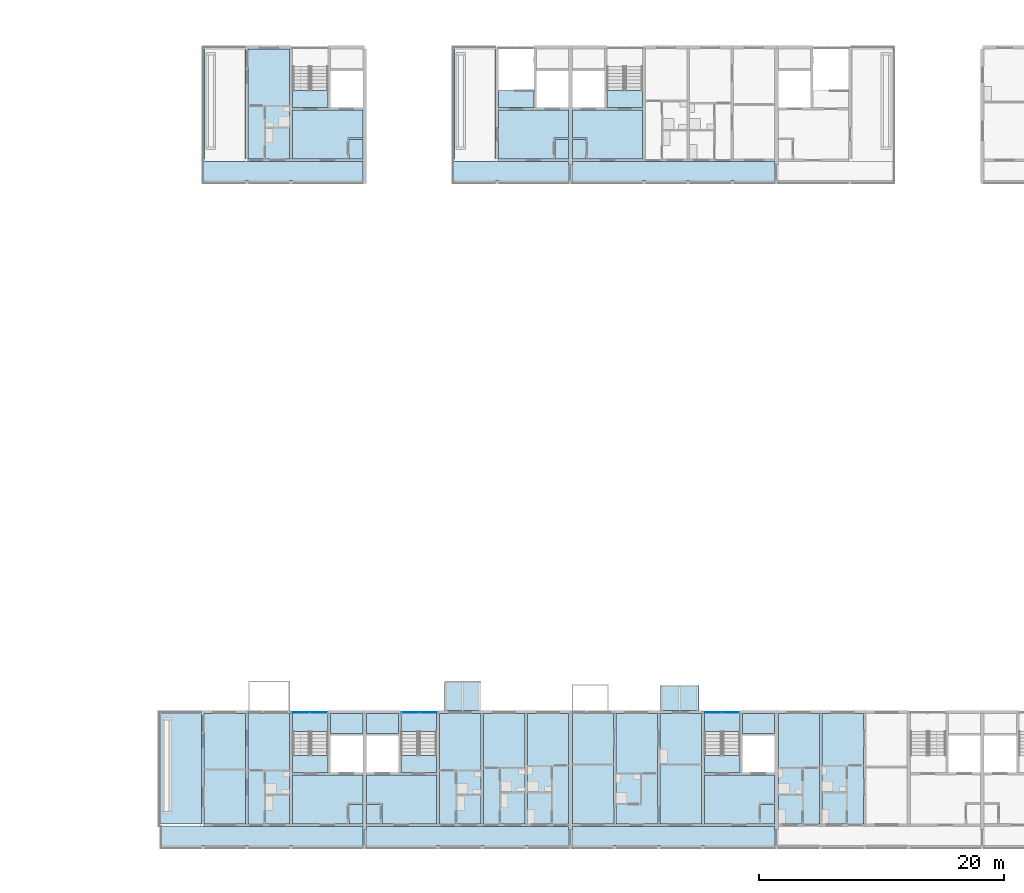
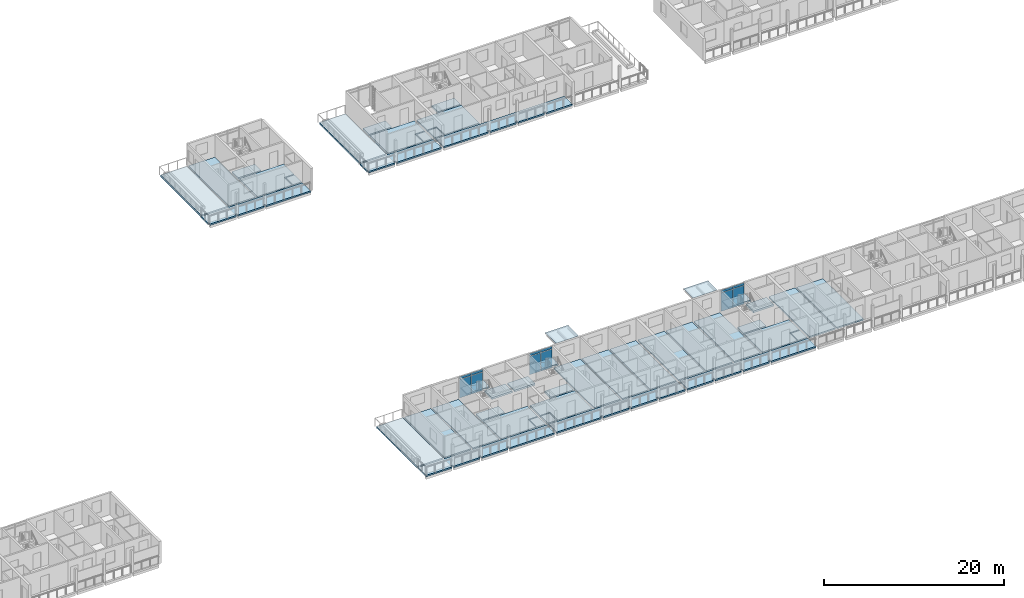
# One storey, part 33 of 87: 46 slabs, 12 plates, 6 elements without a shape of their own.
"""IFC4 building model written with IfcOpenShell, lengths in metres."""

import ifcopenshell
import ifcopenshell.guid

model = None  # the IFC model being written
_history = None  # IfcOwnerHistory: only IFC2X3 demands one
_inside = {}  # id of a spatial element -> (the spatial element, [elements in it])
_under = {}  # id of a project, library or spatial element -> (it, [spatial elements below it])
_declared = {}  # id of a project -> (the project, [libraries it declares])
_typed = {}  # id of a type object -> (the type object, [elements of that type])
_made_of = {}  # id of a material, layer set ... -> (it, [elements and type objects made of it])


def new_model(schema):
    """Start an empty IFC model of exactly this schema.

    Asked for "IFC4X3", IfcOpenShell would pick the latest addendum, in which some entities
    have other attributes; the version numbers below select the first issue.
    IFC2X3 requires an IfcOwnerHistory on every rooted entity: one is made here for all.
    """
    global model, _history
    if schema == "IFC4X3":
        model = ifcopenshell.file(schema_version=(4, 3, 0, 0))
    else:
        model = ifcopenshell.file(schema=schema)
    _inside.clear()
    _under.clear()
    _declared.clear()
    _typed.clear()
    _made_of.clear()
    _history = None
    if model.schema == "IFC2X3":
        org = make("IfcOrganization", Name="unknown")
        user = make(
            "IfcPersonAndOrganization",
            ThePerson=make("IfcPerson", FamilyName="unknown"),
            TheOrganization=org,
        )
        app = make(
            "IfcApplication",
            ApplicationDeveloper=org,
            Version="unknown",
            ApplicationFullName="unknown",
            ApplicationIdentifier="unknown",
        )
        _history = make(
            "IfcOwnerHistory",
            OwningUser=user,
            OwningApplication=app,
            ChangeAction="ADDED",
            CreationDate=0,
        )
    return model


def make(cls, **values):
    """One entity of the class cls with the attributes given. An attribute that is None is left unset."""
    return model.create_entity(
        cls, **{name: value for name, value in values.items() if value is not None}
    )


def rooted(cls, **values):
    """An entity with a GlobalId (a new one), such as an element, a storey or a relation."""
    return make(cls, GlobalId=ifcopenshell.guid.new(), OwnerHistory=_history, **values)


def si_unit(unit_type, name, prefix=None):
    """IfcSIUnit, for example si_unit("LENGTHUNIT", "METRE", prefix="MILLI")."""
    return make("IfcSIUnit", UnitType=unit_type, Prefix=prefix, Name=name)


def assignment(units):
    """IfcUnitAssignment: the units of a project."""
    return None if units is None else make("IfcUnitAssignment", Units=units)


def point(xyz):
    """IfcCartesianPoint."""
    return None if xyz is None else make("IfcCartesianPoint", Coordinates=xyz)


def direction(xyz):
    """IfcDirection."""
    return None if xyz is None else make("IfcDirection", DirectionRatios=xyz)


def frame(location, z_axis=None, x_axis=None):
    """IfcAxis2Placement3D, a coordinate frame: its origin and axes. An axis left out is left unset."""
    return make(
        "IfcAxis2Placement3D",
        Location=point(location),
        Axis=direction(z_axis),
        RefDirection=direction(x_axis),
    )


def frame_2d(location, x_axis=None):
    """IfcAxis2Placement2D, a coordinate frame in the plane: its origin and x axis."""
    return make(
        "IfcAxis2Placement2D", Location=point(location), RefDirection=direction(x_axis)
    )


def origin():
    """The frame at (0, 0, 0) with its axes left unset."""
    return frame((0.0, 0.0, 0.0))


def origin_2d():
    """The frame at (0, 0) in the plane with its x axis left unset."""
    return frame_2d((0.0, 0.0))


def place(relative_to, where):
    """IfcLocalPlacement: puts the frame where relative to a parent placement (None: the world)."""
    return make(
        "IfcLocalPlacement", PlacementRelTo=relative_to, RelativePlacement=where
    )


def context(
    kind, dimensions, precision=None, world=None, true_north=None, identifier=None
):
    """IfcGeometricRepresentationContext, for example the 3D "Model" context."""
    return make(
        "IfcGeometricRepresentationContext",
        ContextIdentifier=identifier,
        ContextType=kind,
        CoordinateSpaceDimension=dimensions,
        Precision=precision,
        WorldCoordinateSystem=world,
        TrueNorth=true_north,
    )


def subcontext(parent, identifier, kind, view, scale=None):
    """IfcGeometricRepresentationSubContext, for example "Body" below "Model"."""
    return make(
        "IfcGeometricRepresentationSubContext",
        ContextIdentifier=identifier,
        ContextType=kind,
        ParentContext=parent,
        TargetScale=scale,
        TargetView=view,
    )


def project(units=None, contexts=None):
    """IfcProject with its units and contexts."""
    return rooted(
        "IfcProject",
        Name="project",
        RepresentationContexts=contexts,
        UnitsInContext=assignment(units),
    )


def spatial(cls, under=None, at=None, **own):
    """A site, building, storey or space (cls), placed at a placement, below another one or the project."""
    s = rooted(cls, ObjectPlacement=at, **own)
    if under is not None:
        _under.setdefault(under.id(), (under, []))[1].append(s)
    return s


def polyline(points):
    """IfcPolyline through the points."""
    return make("IfcPolyline", Points=[point(p) for p in points])


def profile(cls, at=None, kind="AREA", **sizes):
    """A parametric profile (cls). Its sizes go by their IFC names, for example OverallWidth=200.0."""
    return make(cls, ProfileType=kind, Position=at, **sizes)


def rectangle(**sizes):
    """IfcRectangleProfileDef."""
    return profile("IfcRectangleProfileDef", **sizes)


def outline(outer, holes=None, kind="AREA"):
    """IfcArbitraryClosedProfileDef: a profile drawn as a closed curve; with holes, ...WithVoids."""
    if holes is None:
        return make("IfcArbitraryClosedProfileDef", ProfileType=kind, OuterCurve=outer)
    return make(
        "IfcArbitraryProfileDefWithVoids",
        ProfileType=kind,
        OuterCurve=outer,
        InnerCurves=holes,
    )


def extrude(swept, where, along, depth):
    """IfcExtrudedAreaSolid: the profile swept, set in the frame where, extruded along a direction by depth."""
    return make(
        "IfcExtrudedAreaSolid",
        SweptArea=swept,
        Position=where,
        ExtrudedDirection=direction(along),
        Depth=depth,
    )


def shape(context_of_items, identifier, shape_type, items):
    """IfcShapeRepresentation: the items that make up one representation, for example the "Body"."""
    return make(
        "IfcShapeRepresentation",
        ContextOfItems=context_of_items,
        RepresentationIdentifier=identifier,
        RepresentationType=shape_type,
        Items=items,
    )


def material(Name=None, Category=None):
    """IfcMaterial."""
    return make("IfcMaterial", Name=Name, Category=Category)


def layer(
    of_material, thickness, ventilated=None, Name=None, Category=None, Priority=None
):
    """IfcMaterialLayer: one layer of a wall or slab, of a material (None: an air gap)."""
    return make(
        "IfcMaterialLayer",
        Material=of_material,
        LayerThickness=thickness,
        IsVentilated=ventilated,
        Name=Name,
        Category=Category,
        Priority=Priority,
    )


def layer_set(layers, Name=None):
    """IfcMaterialLayerSet."""
    return make("IfcMaterialLayerSet", MaterialLayers=layers, LayerSetName=Name)


def made_of(thing, what):
    """Note that an element or type object is made of a material, layer set ...; save() writes the relation."""
    if what is not None:
        _made_of.setdefault(what.id(), (what, []))[1].append(thing)
    return thing


def type_object(cls, material=None, **own):
    """A type object (cls), such as IfcWallType, which elements share."""
    return made_of(rooted(cls, **own), material)


def element(
    cls,
    number,
    at=None,
    inside=None,
    cuts=None,
    type_object=None,
    material=None,
    context=None,
    identifier="Body",
    shape_type=None,
    held_by="IfcProductDefinitionShape",
    body=None,
    shapes=None,
    **own,
):
    """One element of the class cls, such as IfcWall. Its Tag is "e" and its number.

    at: its placement. inside: the storey or other place that contains it. cuts: it is an
    opening in that element (IfcRelVoidsElement). A single representation is given by context,
    identifier, shape_type and body (its items); several are given by shapes. held_by: the class
    of the entity that holds the representations. save() writes the other relations.
    """
    e = rooted(cls, Tag="e%d" % number, ObjectPlacement=at, **own)
    if body is not None:
        shapes = [shape(context, identifier, shape_type, body)]
    if shapes is not None:
        e.Representation = make(held_by, Representations=shapes)
    if inside is not None:
        _inside.setdefault(inside.id(), (inside, []))[1].append(e)
    if cuts is not None:
        rooted(
            "IfcRelVoidsElement", RelatingBuildingElement=cuts, RelatedOpeningElement=e
        )
    if type_object is not None:
        _typed.setdefault(type_object.id(), (type_object, []))[1].append(e)
    return made_of(e, material)


def aggregate(whole, parts):
    """IfcRelAggregates: a whole, such as a stair, and the parts it consists of."""
    return rooted("IfcRelAggregates", RelatingObject=whole, RelatedObjects=parts)


def save(model, path):
    """Write the relations noted so far, then the file.

    IfcRelAggregates (storeys below a building ...), IfcRelContainedInSpatialStructure (elements
    in a storey), IfcRelDefinesByType, IfcRelAssociatesMaterial and IfcRelDeclares: one each for
    every whole, place, type object, material and project.
    """
    for whole, parts in _under.values():
        aggregate(whole, parts)
    for where, things in _inside.values():
        rooted(
            "IfcRelContainedInSpatialStructure",
            RelatedElements=things,
            RelatingStructure=where,
        )
    for kind, things in _typed.values():
        rooted("IfcRelDefinesByType", RelatedObjects=things, RelatingType=kind)
    for what, things in _made_of.values():
        rooted("IfcRelAssociatesMaterial", RelatedObjects=things, RelatingMaterial=what)
    for by, libraries in _declared.values():
        rooted("IfcRelDeclares", RelatingContext=by, RelatedDefinitions=libraries)
    model.write(path)


model = new_model("IFC4")

# Units and contexts
model_context = context("Model", 3, precision=1e-05, world=origin(), true_north=direction((0.0, 1.0)))
body_context = subcontext(model_context, "Body", "Model", "MODEL_VIEW")
ifc_project = project(units=[si_unit("LENGTHUNIT", "METRE"), si_unit("AREAUNIT", "SQUARE_METRE"), si_unit("VOLUMEUNIT", "CUBIC_METRE"), si_unit("PLANEANGLEUNIT", "RADIAN"), si_unit("MASSUNIT", "GRAM", prefix="KILO")], contexts=[model_context])

# Site, building, storey
site_placement = place(None, origin())
site = spatial("IfcSite", under=ifc_project, at=site_placement, CompositionType="ELEMENT")
building_placement = place(site_placement, origin())
building = spatial("IfcBuilding", under=site, at=building_placement, Name="Ridgestep Commons", CompositionType="ELEMENT")
storey_placement = place(building_placement, frame((0.0, 0.0, 27.0)))
storey = spatial("IfcBuildingStorey", under=building, at=storey_placement, Name="L09", CompositionType="ELEMENT", Elevation=27.0)

# Slabs
ifc_material_1 = material(Name="Precast concrete C40/50", Category="concrete")
ifc_layer_1 = layer(ifc_material_1, 0.199951171875)
ifc_layer_set_1 = layer_set([ifc_layer_1], Name="Gallery slab 200")
slab_type_1 = type_object("IfcSlabType", Name="Gallery slab 200", PredefinedType="FLOOR", material=ifc_layer_set_1)
slab_1_placement = place(storey_placement, frame((0.0, 0.0, -0.199951171875)))
element("IfcSlab", 1, at=slab_1_placement, inside=storey, type_object=slab_type_1, Name="Gallery slab C1 L09", PredefinedType="FLOOR", context=body_context, shape_type="SweptSolid", body=[
    extrude(outline(polyline([(163.449951171875, 66.0), (163.449951171875, 67.800048828125), (150.39990234375, 67.800048828125), (150.39990234375, 66.25), (150.52490234375, 66.25), (150.52490234375, 66.0), (153.875, 66.0), (153.875, 66.25), (154.125, 66.25), (154.125, 66.0), (157.47509765625, 66.0), (157.47509765625, 66.25), (157.72509765625, 66.25), (157.72509765625, 66.0), (163.449951171875, 66.0)])), origin(), (0.0, 0.0, 1.0), 0.199951171875),
])
slab_2_placement = place(storey_placement, frame((0.0, 0.0, -0.199951171875)))
element("IfcSlab", 2, at=slab_2_placement, inside=storey, type_object=slab_type_1, Name="Gallery slab C2 L09", PredefinedType="FLOOR", context=body_context, shape_type="SweptSolid", body=[
    extrude(outline(polyline([(180.25, 67.800048828125), (170.800048828125, 67.800048828125), (170.800048828125, 66.25), (170.925048828125, 66.25), (170.925048828125, 66.0), (174.27490234375, 66.0), (174.27490234375, 66.25), (174.52490234375, 66.25), (174.52490234375, 66.0), (180.25, 66.0), (180.25, 67.800048828125)])), origin(), (0.0, 0.0, 1.0), 0.199951171875),
])
slab_3_placement = place(storey_placement, frame((0.0, 0.0, -0.199951171875)))
element("IfcSlab", 3, at=slab_3_placement, inside=storey, type_object=slab_type_1, Name="Gallery slab C3 L09", PredefinedType="FLOOR", context=body_context, shape_type="SweptSolid", body=[
    extrude(outline(polyline([(197.050048828125, 67.800048828125), (180.550048828125, 67.800048828125), (180.550048828125, 66.0), (186.27490234375, 66.0), (186.27490234375, 66.25), (186.52490234375, 66.25), (186.52490234375, 66.0), (189.875, 66.0), (189.875, 66.25), (190.125, 66.25), (190.125, 66.0), (193.47509765625, 66.0), (193.47509765625, 66.25), (193.72509765625, 66.25), (193.72509765625, 66.0), (197.050048828125, 66.0), (197.050048828125, 67.800048828125)])), origin(), (0.0, 0.0, 1.0), 0.199951171875),
])
slab_4_placement = place(storey_placement, frame((0.0, 0.0, -0.199951171875)))
element("IfcSlab", 4, at=slab_4_placement, inside=storey, type_object=slab_type_1, Name="Gallery slab D1 L09", PredefinedType="FLOOR", context=body_context, shape_type="SweptSolid", body=[
    extrude(outline(polyline([(163.449951171875, 13.550048828125), (146.949951171875, 13.550048828125), (146.949951171875, 11.75), (150.27490234375, 11.75), (150.27490234375, 12.0), (150.52490234375, 12.0), (150.52490234375, 11.75), (153.875, 11.75), (153.875, 12.0), (154.125, 12.0), (154.125, 11.75), (157.47509765625, 11.75), (157.47509765625, 12.0), (157.72509765625, 12.0), (157.72509765625, 11.75), (163.449951171875, 11.75), (163.449951171875, 13.550048828125)])), origin(), (0.0, 0.0, 1.0), 0.199951171875),
])
slab_5_placement = place(storey_placement, frame((0.0, 0.0, -0.199951171875)))
element("IfcSlab", 5, at=slab_5_placement, inside=storey, type_object=slab_type_1, Name="Gallery slab D2 L09", PredefinedType="FLOOR", context=body_context, shape_type="SweptSolid", body=[
    extrude(outline(polyline([(180.25, 13.550048828125), (163.75, 13.550048828125), (163.75, 11.75), (169.47509765625, 11.75), (169.47509765625, 12.0), (169.72509765625, 12.0), (169.72509765625, 11.75), (173.074951171875, 11.75), (173.074951171875, 12.0), (173.324951171875, 12.0), (173.324951171875, 11.75), (176.675048828125, 11.75), (176.675048828125, 12.0), (176.925048828125, 12.0), (176.925048828125, 11.75), (180.25, 11.75), (180.25, 13.550048828125)])), origin(), (0.0, 0.0, 1.0), 0.199951171875),
])
slab_6_placement = place(storey_placement, frame((0.0, 0.0, -0.199951171875)))
element("IfcSlab", 6, at=slab_6_placement, inside=storey, type_object=slab_type_1, Name="Gallery slab D3 L09", PredefinedType="FLOOR", context=body_context, shape_type="SweptSolid", body=[
    extrude(outline(polyline([(197.050048828125, 13.550048828125), (180.550048828125, 13.550048828125), (180.550048828125, 11.75), (183.875, 11.75), (183.875, 12.0), (184.125, 12.0), (184.125, 11.75), (187.47509765625, 11.75), (187.47509765625, 12.0), (187.72509765625, 12.0), (187.72509765625, 11.75), (191.074951171875, 11.75), (191.074951171875, 12.0), (191.324951171875, 12.0), (191.324951171875, 11.75), (197.050048828125, 11.75), (197.050048828125, 13.550048828125)])), origin(), (0.0, 0.0, 1.0), 0.199951171875),
])

# Curtain wall, plates
ifc_material_2 = material(Name="Aluminium 6063-T6 and glass", Category="aluminium")
curtain_wall_type = type_object("IfcCurtainWallType", Name="Curtain wall stair strip", PredefinedType="NOTDEFINED", material=ifc_material_2)
curtain_wall_1_placement = place(storey_placement, origin())
curtain_wall_1 = element("IfcCurtainWall", 7, at=curtain_wall_1_placement, inside=storey, type_object=curtain_wall_type, Name="Curtain wall D1C level 09", PredefinedType="NOTDEFINED")
ifc_material_3 = material(Name="Glass laminated 6/16/6 low-emissivity", Category="glass")
ifc_layer_2 = layer(ifc_material_3, 0.028076171875)
ifc_layer_set_2 = layer_set([ifc_layer_2], Name="Glazing panel 28")
plate_type_1 = type_object("IfcPlateType", Name="Glazing panel 28", PredefinedType="CURTAIN_PANEL", material=ifc_layer_set_2)
plate_1_placement = place(storey_placement, frame((158.371337890625, 22.830078125, 0.06005859375), z_axis=(0.0, 0.0, 1.0), x_axis=(1.0, 0.0, 0.0)))
plate_1 = element("IfcPlate", 8, at=plate_1_placement, type_object=plate_type_1, Name="CW1 panel 1.1", PredefinedType="CURTAIN_PANEL", context=body_context, shape_type="SweptSolid", body=[
    extrude(rectangle(XDim=1.422607421875, YDim=0.028076171875, at=origin_2d()), origin(), (0.0, 0.0, 1.0), 2.5),
])
plate_2_placement = place(storey_placement, frame((159.853759765625, 22.830078125, 0.06005859375), z_axis=(0.0, 0.0, 1.0), x_axis=(1.0, 0.0, 0.0)))
plate_2 = element("IfcPlate", 9, at=plate_2_placement, type_object=plate_type_1, Name="CW1 panel 2.1", PredefinedType="CURTAIN_PANEL", context=body_context, shape_type="SweptSolid", body=[
    extrude(rectangle(XDim=1.422607421875, YDim=0.028076171875, at=origin_2d()), origin(), (0.0, 0.0, 1.0), 2.5),
])

curtain_wall_2_placement = place(storey_placement, origin())
curtain_wall_2 = element("IfcCurtainWall", 10, at=curtain_wall_2_placement, inside=storey, type_object=curtain_wall_type, Name="Curtain wall D2C level 09", PredefinedType="NOTDEFINED")
plate_3_placement = place(storey_placement, frame((167.34619140625, 22.830078125, 0.06005859375), z_axis=(0.0, 0.0, 1.0), x_axis=(1.0, 0.0, 0.0)))
plate_3 = element("IfcPlate", 11, at=plate_3_placement, type_object=plate_type_1, Name="CW1 panel 1.1", PredefinedType="CURTAIN_PANEL", context=body_context, shape_type="SweptSolid", body=[
    extrude(rectangle(XDim=1.422607421875, YDim=0.028076171875, at=origin_2d()), origin(), (0.0, 0.0, 1.0), 2.5),
])
plate_4_placement = place(storey_placement, frame((168.828857421875, 22.830078125, 0.06005859375), z_axis=(0.0, 0.0, 1.0), x_axis=(1.0, 0.0, 0.0)))
plate_4 = element("IfcPlate", 12, at=plate_4_placement, type_object=plate_type_1, Name="CW1 panel 2.1", PredefinedType="CURTAIN_PANEL", context=body_context, shape_type="SweptSolid", body=[
    extrude(rectangle(XDim=1.422607421875, YDim=0.028076171875, at=origin_2d()), origin(), (0.0, 0.0, 1.0), 2.5),
])

curtain_wall_3_placement = place(storey_placement, origin())
curtain_wall_3 = element("IfcCurtainWall", 13, at=curtain_wall_3_placement, inside=storey, type_object=curtain_wall_type, Name="Curtain wall D3C level 09", PredefinedType="NOTDEFINED")
plate_5_placement = place(storey_placement, frame((191.97119140625, 22.830078125, 0.06005859375), z_axis=(0.0, 0.0, 1.0), x_axis=(1.0, 0.0, 0.0)))
plate_5 = element("IfcPlate", 14, at=plate_5_placement, type_object=plate_type_1, Name="CW1 panel 1.1", PredefinedType="CURTAIN_PANEL", context=body_context, shape_type="SweptSolid", body=[
    extrude(rectangle(XDim=1.422607421875, YDim=0.028076171875, at=origin_2d()), origin(), (0.0, 0.0, 1.0), 2.5),
])
plate_6_placement = place(storey_placement, frame((193.453857421875, 22.830078125, 0.06005859375), z_axis=(0.0, 0.0, 1.0), x_axis=(1.0, 0.0, 0.0)))
plate_6 = element("IfcPlate", 15, at=plate_6_placement, type_object=plate_type_1, Name="CW1 panel 2.1", PredefinedType="CURTAIN_PANEL", context=body_context, shape_type="SweptSolid", body=[
    extrude(rectangle(XDim=1.422607421875, YDim=0.028076171875, at=origin_2d()), origin(), (0.0, 0.0, 1.0), 2.5),
])

# Slabs
ifc_material_4 = material(Name="Precast concrete C50/60", Category="concrete")
ifc_layer_3 = layer(ifc_material_4, 0.199951171875)
ifc_layer_set_3 = layer_set([ifc_layer_3], Name="Hollow-core plank 200")
slab_type_2 = type_object("IfcSlabType", Name="Hollow-core plank 200", PredefinedType="FLOOR", material=ifc_layer_set_3)
slab_7_placement = place(storey_placement, frame((0.0, 0.0, -0.199951171875)))
element("IfcSlab", 16, at=slab_7_placement, inside=storey, type_object=slab_type_2, Name="Floor plank C1T3 L09", PredefinedType="FLOOR", context=body_context, shape_type="SweptSolid", body=[
    extrude(outline(polyline([(157.47509765625, 68.0), (157.47509765625, 77.0), (154.10009765625, 77.0), (154.10009765625, 68.0), (157.47509765625, 68.0)])), origin(), (0.0, 0.0, 1.0), 0.199951171875),
])
slab_8_placement = place(storey_placement, frame((0.0, 0.0, -0.199951171875)))
element("IfcSlab", 17, at=slab_8_placement, inside=storey, type_object=slab_type_2, Name="Floor plank D1T2 L09", PredefinedType="FLOOR", context=body_context, shape_type="SweptSolid", body=[
    extrude(outline(polyline([(153.89990234375, 13.75), (153.89990234375, 22.75), (150.5, 22.75), (150.5, 13.75), (153.89990234375, 13.75)])), origin(), (0.0, 0.0, 1.0), 0.199951171875),
])
slab_9_placement = place(storey_placement, frame((0.0, 0.0, -0.199951171875)))
element("IfcSlab", 18, at=slab_9_placement, inside=storey, type_object=slab_type_2, Name="Floor plank D1T3 L09", PredefinedType="FLOOR", context=body_context, shape_type="SweptSolid", body=[
    extrude(outline(polyline([(157.47509765625, 13.75), (157.47509765625, 22.75), (154.10009765625, 22.75), (154.10009765625, 13.75), (157.47509765625, 13.75)])), origin(), (0.0, 0.0, 1.0), 0.199951171875),
])
slab_10_placement = place(storey_placement, frame((0.0, 0.0, -0.199951171875)))
element("IfcSlab", 19, at=slab_10_placement, inside=storey, type_object=slab_type_2, Name="Floor plank D2T3 L09", PredefinedType="FLOOR", context=body_context, shape_type="SweptSolid", body=[
    extrude(outline(polyline([(173.10009765625, 13.75), (173.10009765625, 22.75), (169.72509765625, 22.75), (169.72509765625, 13.75), (173.10009765625, 13.75)])), origin(), (0.0, 0.0, 1.0), 0.199951171875),
])
slab_11_placement = place(storey_placement, frame((0.0, 0.0, -0.199951171875)))
element("IfcSlab", 20, at=slab_11_placement, inside=storey, type_object=slab_type_2, Name="Floor plank D2T2 L09", PredefinedType="FLOOR", context=body_context, shape_type="SweptSolid", body=[
    extrude(outline(polyline([(176.699951171875, 13.75), (176.699951171875, 22.75), (173.300048828125, 22.75), (173.300048828125, 13.75), (176.699951171875, 13.75)])), origin(), (0.0, 0.0, 1.0), 0.199951171875),
])
slab_12_placement = place(storey_placement, frame((0.0, 0.0, -0.199951171875)))
element("IfcSlab", 21, at=slab_12_placement, inside=storey, type_object=slab_type_2, Name="Floor plank D2T1 L09", PredefinedType="FLOOR", context=body_context, shape_type="SweptSolid", body=[
    extrude(outline(polyline([(180.25, 13.75), (180.25, 22.75), (176.89990234375, 22.75), (176.89990234375, 13.75), (180.25, 13.75)])), origin(), (0.0, 0.0, 1.0), 0.199951171875),
])
slab_13_placement = place(storey_placement, frame((0.0, 0.0, -0.199951171875)))
element("IfcSlab", 22, at=slab_13_placement, inside=storey, type_object=slab_type_2, Name="Floor plank D3T1 L09", PredefinedType="FLOOR", context=body_context, shape_type="SweptSolid", body=[
    extrude(outline(polyline([(183.89990234375, 13.75), (183.89990234375, 22.75), (180.550048828125, 22.75), (180.550048828125, 13.75), (183.89990234375, 13.75)])), origin(), (0.0, 0.0, 1.0), 0.199951171875),
])
slab_14_placement = place(storey_placement, frame((0.0, 0.0, -0.199951171875)))
element("IfcSlab", 23, at=slab_14_placement, inside=storey, type_object=slab_type_2, Name="Floor plank D3T2 L09", PredefinedType="FLOOR", context=body_context, shape_type="SweptSolid", body=[
    extrude(outline(polyline([(187.5, 13.75), (187.5, 22.75), (184.10009765625, 22.75), (184.10009765625, 13.75), (187.5, 13.75)])), origin(), (0.0, 0.0, 1.0), 0.199951171875),
])
slab_15_placement = place(storey_placement, frame((0.0, 0.0, -0.199951171875)))
element("IfcSlab", 24, at=slab_15_placement, inside=storey, type_object=slab_type_2, Name="Floor plank D3T3 L09", PredefinedType="FLOOR", context=body_context, shape_type="SweptSolid", body=[
    extrude(outline(polyline([(191.074951171875, 13.75), (191.074951171875, 22.75), (187.699951171875, 22.75), (187.699951171875, 13.75), (191.074951171875, 13.75)])), origin(), (0.0, 0.0, 1.0), 0.199951171875),
])
slab_16_placement = place(storey_placement, frame((0.0, 0.0, -0.199951171875)))
element("IfcSlab", 25, at=slab_16_placement, inside=storey, type_object=slab_type_2, Name="Floor plank D4T1 L09", PredefinedType="FLOOR", context=body_context, shape_type="SweptSolid", body=[
    extrude(outline(polyline([(200.699951171875, 13.75), (200.699951171875, 22.75), (197.35009765625, 22.75), (197.35009765625, 13.75), (200.699951171875, 13.75)])), origin(), (0.0, 0.0, 1.0), 0.199951171875),
])
slab_17_placement = place(storey_placement, frame((0.0, 0.0, -0.199951171875)))
element("IfcSlab", 26, at=slab_17_placement, inside=storey, type_object=slab_type_2, Name="Floor plank D4T2 L09", PredefinedType="FLOOR", context=body_context, shape_type="SweptSolid", body=[
    extrude(outline(polyline([(204.300048828125, 13.75), (204.300048828125, 22.75), (200.89990234375, 22.75), (200.89990234375, 13.75), (204.300048828125, 13.75)])), origin(), (0.0, 0.0, 1.0), 0.199951171875),
])
ifc_material_5 = material(Name="Precast concrete C50/60", Category="concrete")
ifc_layer_4 = layer(ifc_material_5, 0.25)
ifc_layer_set_4 = layer_set([ifc_layer_4], Name="Hollow-core plank 250")
slab_type_3 = type_object("IfcSlabType", Name="Hollow-core plank 250", PredefinedType="FLOOR", material=ifc_layer_set_4)
slab_18_placement = place(storey_placement, frame((0.0, 0.0, -0.25)))
element("IfcSlab", 27, at=slab_18_placement, inside=storey, type_object=slab_type_3, Name="Floor plank C1C L09", PredefinedType="FLOOR", context=body_context, shape_type="SweptSolid", body=[
    extrude(outline(polyline([(162.320068359375, 69.719970703125), (163.449951171875, 69.719970703125), (163.449951171875, 72.0), (157.72509765625, 72.0), (157.72509765625, 68.0), (162.199951171875, 68.0), (162.199951171875, 69.719970703125), (162.320068359375, 69.719970703125)])), origin(), (0.0, 0.0, 1.0), 0.25),
])
slab_19_placement = place(storey_placement, frame((0.0, 0.0, -0.25)))
element("IfcSlab", 28, at=slab_19_placement, inside=storey, type_object=slab_type_3, Name="Floor plank C1C L09", PredefinedType="FLOOR", context=body_context, shape_type="SweptSolid", body=[
    extrude(outline(polyline([(160.625, 72.199951171875), (160.625, 73.60009765625), (157.72509765625, 73.60009765625), (157.72509765625, 72.199951171875), (160.625, 72.199951171875)])), origin(), (0.0, 0.0, 1.0), 0.25),
])
slab_20_placement = place(storey_placement, frame((0.0, 0.0, -0.25)))
element("IfcSlab", 29, at=slab_20_placement, inside=storey, type_object=slab_type_3, Name="Floor plank C1C L09", PredefinedType="FLOOR", context=body_context, shape_type="SweptSolid", body=[
    extrude(outline(polyline([(162.320068359375, 68.0), (163.449951171875, 68.0), (163.449951171875, 69.60009765625), (162.320068359375, 69.60009765625), (162.320068359375, 68.0)])), origin(), (0.0, 0.0, 1.0), 0.25),
])
slab_21_placement = place(storey_placement, frame((0.0, 0.0, -0.25)))
element("IfcSlab", 30, at=slab_21_placement, inside=storey, type_object=slab_type_3, Name="Floor plank C2C L09", PredefinedType="FLOOR", context=body_context, shape_type="SweptSolid", body=[
    extrude(outline(polyline([(179.1201171875, 69.719970703125), (180.25, 69.719970703125), (180.25, 72.0), (174.52490234375, 72.0), (174.52490234375, 68.0), (179.0, 68.0), (179.0, 69.719970703125), (179.1201171875, 69.719970703125)])), origin(), (0.0, 0.0, 1.0), 0.25),
])
slab_22_placement = place(storey_placement, frame((0.0, 0.0, -0.25)))
element("IfcSlab", 31, at=slab_22_placement, inside=storey, type_object=slab_type_3, Name="Floor plank C2C L09", PredefinedType="FLOOR", context=body_context, shape_type="SweptSolid", body=[
    extrude(outline(polyline([(177.425048828125, 72.199951171875), (177.425048828125, 73.60009765625), (174.52490234375, 73.60009765625), (174.52490234375, 72.199951171875), (177.425048828125, 72.199951171875)])), origin(), (0.0, 0.0, 1.0), 0.25),
])
slab_23_placement = place(storey_placement, frame((0.0, 0.0, -0.25)))
element("IfcSlab", 32, at=slab_23_placement, inside=storey, type_object=slab_type_3, Name="Floor plank C2C L09", PredefinedType="FLOOR", context=body_context, shape_type="SweptSolid", body=[
    extrude(outline(polyline([(179.1201171875, 68.0), (180.25, 68.0), (180.25, 69.60009765625), (179.1201171875, 69.60009765625), (179.1201171875, 68.0)])), origin(), (0.0, 0.0, 1.0), 0.25),
])
slab_24_placement = place(storey_placement, frame((0.0, 0.0, -0.25)))
element("IfcSlab", 33, at=slab_24_placement, inside=storey, type_object=slab_type_3, Name="Floor plank C3C L09", PredefinedType="FLOOR", context=body_context, shape_type="SweptSolid", body=[
    extrude(outline(polyline([(181.800048828125, 68.0), (186.27490234375, 68.0), (186.27490234375, 72.0), (180.550048828125, 72.0), (180.550048828125, 69.719970703125), (181.679931640625, 69.719970703125), (181.800048828125, 69.719970703125), (181.800048828125, 68.0)])), origin(), (0.0, 0.0, 1.0), 0.25),
])
slab_25_placement = place(storey_placement, frame((0.0, 0.0, -0.25)))
element("IfcSlab", 34, at=slab_25_placement, inside=storey, type_object=slab_type_3, Name="Floor plank C3C L09", PredefinedType="FLOOR", context=body_context, shape_type="SweptSolid", body=[
    extrude(outline(polyline([(186.27490234375, 72.199951171875), (186.27490234375, 73.60009765625), (183.375, 73.60009765625), (183.375, 72.199951171875), (186.27490234375, 72.199951171875)])), origin(), (0.0, 0.0, 1.0), 0.25),
])
slab_26_placement = place(storey_placement, frame((0.0, 0.0, -0.25)))
element("IfcSlab", 35, at=slab_26_placement, inside=storey, type_object=slab_type_3, Name="Floor plank C3C L09", PredefinedType="FLOOR", context=body_context, shape_type="SweptSolid", body=[
    extrude(outline(polyline([(181.679931640625, 69.60009765625), (180.550048828125, 69.60009765625), (180.550048828125, 68.0), (181.679931640625, 68.0), (181.679931640625, 69.60009765625)])), origin(), (0.0, 0.0, 1.0), 0.25),
])
slab_27_placement = place(storey_placement, frame((0.0, 0.0, -0.25)))
element("IfcSlab", 36, at=slab_27_placement, inside=storey, type_object=slab_type_3, Name="Floor plank D1C L09", PredefinedType="FLOOR", context=body_context, shape_type="SweptSolid", body=[
    extrude(outline(polyline([(162.320068359375, 15.469970703125), (163.449951171875, 15.469970703125), (163.449951171875, 17.75), (157.72509765625, 17.75), (157.72509765625, 13.75), (162.199951171875, 13.75), (162.199951171875, 15.469970703125), (162.320068359375, 15.469970703125)])), origin(), (0.0, 0.0, 1.0), 0.25),
])
slab_28_placement = place(storey_placement, frame((0.0, 0.0, -0.25)))
element("IfcSlab", 37, at=slab_28_placement, inside=storey, type_object=slab_type_3, Name="Floor plank D1C L09", PredefinedType="FLOOR", context=body_context, shape_type="SweptSolid", body=[
    extrude(outline(polyline([(163.449951171875, 21.14990234375), (163.449951171875, 22.75), (160.824951171875, 22.75), (160.824951171875, 21.14990234375), (163.449951171875, 21.14990234375)])), origin(), (0.0, 0.0, 1.0), 0.25),
])
slab_29_placement = place(storey_placement, frame((0.0, 0.0, -0.25)))
element("IfcSlab", 38, at=slab_29_placement, inside=storey, type_object=slab_type_3, Name="Floor plank D1C L09", PredefinedType="FLOOR", context=body_context, shape_type="SweptSolid", body=[
    extrude(outline(polyline([(160.625, 17.949951171875), (160.625, 19.35009765625), (157.72509765625, 19.35009765625), (157.72509765625, 17.949951171875), (160.625, 17.949951171875)])), origin(), (0.0, 0.0, 1.0), 0.25),
])
slab_30_placement = place(storey_placement, frame((0.0, 0.0, -0.25)))
element("IfcSlab", 39, at=slab_30_placement, inside=storey, type_object=slab_type_3, Name="Floor plank D1C L09", PredefinedType="FLOOR", context=body_context, shape_type="SweptSolid", body=[
    extrude(outline(polyline([(162.320068359375, 13.75), (163.449951171875, 13.75), (163.449951171875, 15.35009765625), (162.320068359375, 15.35009765625), (162.320068359375, 13.75)])), origin(), (0.0, 0.0, 1.0), 0.25),
])
slab_31_placement = place(storey_placement, frame((0.0, 0.0, -0.25)))
element("IfcSlab", 40, at=slab_31_placement, inside=storey, type_object=slab_type_3, Name="Floor plank D2C L09", PredefinedType="FLOOR", context=body_context, shape_type="SweptSolid", body=[
    extrude(outline(polyline([(165.0, 13.75), (169.47509765625, 13.75), (169.47509765625, 17.75), (163.75, 17.75), (163.75, 15.469970703125), (164.8798828125, 15.469970703125), (165.0, 15.469970703125), (165.0, 13.75)])), origin(), (0.0, 0.0, 1.0), 0.25),
])
slab_32_placement = place(storey_placement, frame((0.0, 0.0, -0.25)))
element("IfcSlab", 41, at=slab_32_placement, inside=storey, type_object=slab_type_3, Name="Floor plank D2C L09", PredefinedType="FLOOR", context=body_context, shape_type="SweptSolid", body=[
    extrude(outline(polyline([(166.375, 22.75), (163.75, 22.75), (163.75, 21.14990234375), (166.375, 21.14990234375), (166.375, 22.75)])), origin(), (0.0, 0.0, 1.0), 0.25),
])
slab_33_placement = place(storey_placement, frame((0.0, 0.0, -0.25)))
element("IfcSlab", 42, at=slab_33_placement, inside=storey, type_object=slab_type_3, Name="Floor plank D2C L09", PredefinedType="FLOOR", context=body_context, shape_type="SweptSolid", body=[
    extrude(outline(polyline([(169.47509765625, 17.949951171875), (169.47509765625, 19.35009765625), (166.574951171875, 19.35009765625), (166.574951171875, 17.949951171875), (169.47509765625, 17.949951171875)])), origin(), (0.0, 0.0, 1.0), 0.25),
])
slab_34_placement = place(storey_placement, frame((0.0, 0.0, -0.25)))
element("IfcSlab", 43, at=slab_34_placement, inside=storey, type_object=slab_type_3, Name="Floor plank D2C L09", PredefinedType="FLOOR", context=body_context, shape_type="SweptSolid", body=[
    extrude(outline(polyline([(164.8798828125, 15.35009765625), (163.75, 15.35009765625), (163.75, 13.75), (164.8798828125, 13.75), (164.8798828125, 15.35009765625)])), origin(), (0.0, 0.0, 1.0), 0.25),
])
slab_35_placement = place(storey_placement, frame((0.0, 0.0, -0.25)))
element("IfcSlab", 44, at=slab_35_placement, inside=storey, type_object=slab_type_3, Name="Floor plank D3C L09", PredefinedType="FLOOR", context=body_context, shape_type="SweptSolid", body=[
    extrude(outline(polyline([(195.919921875, 15.469970703125), (197.050048828125, 15.469970703125), (197.050048828125, 17.75), (191.324951171875, 17.75), (191.324951171875, 13.75), (195.800048828125, 13.75), (195.800048828125, 15.469970703125), (195.919921875, 15.469970703125)])), origin(), (0.0, 0.0, 1.0), 0.25),
])
slab_36_placement = place(storey_placement, frame((0.0, 0.0, -0.25)))
element("IfcSlab", 45, at=slab_36_placement, inside=storey, type_object=slab_type_3, Name="Floor plank D3C L09", PredefinedType="FLOOR", context=body_context, shape_type="SweptSolid", body=[
    extrude(outline(polyline([(197.050048828125, 21.14990234375), (197.050048828125, 22.75), (194.425048828125, 22.75), (194.425048828125, 21.14990234375), (197.050048828125, 21.14990234375)])), origin(), (0.0, 0.0, 1.0), 0.25),
])
slab_37_placement = place(storey_placement, frame((0.0, 0.0, -0.25)))
element("IfcSlab", 46, at=slab_37_placement, inside=storey, type_object=slab_type_3, Name="Floor plank D3C L09", PredefinedType="FLOOR", context=body_context, shape_type="SweptSolid", body=[
    extrude(outline(polyline([(194.22509765625, 17.949951171875), (194.22509765625, 19.35009765625), (191.324951171875, 19.35009765625), (191.324951171875, 17.949951171875), (194.22509765625, 17.949951171875)])), origin(), (0.0, 0.0, 1.0), 0.25),
])
slab_38_placement = place(storey_placement, frame((0.0, 0.0, -0.25)))
element("IfcSlab", 47, at=slab_38_placement, inside=storey, type_object=slab_type_3, Name="Floor plank D3C L09", PredefinedType="FLOOR", context=body_context, shape_type="SweptSolid", body=[
    extrude(outline(polyline([(195.919921875, 13.75), (197.050048828125, 13.75), (197.050048828125, 15.35009765625), (195.919921875, 15.35009765625), (195.919921875, 13.75)])), origin(), (0.0, 0.0, 1.0), 0.25),
])
ifc_material_6 = material(Name="Precast concrete C50/60", Category="concrete")
ifc_layer_5 = layer(ifc_material_6, 0.25)
ifc_layer_set_5 = layer_set([ifc_layer_5], Name="Roof slab 250")
slab_type_4 = type_object("IfcSlabType", Name="Roof slab 250", PredefinedType="ROOF", material=ifc_layer_set_5)
slab_39_placement = place(storey_placement, frame((0.0, 0.0, -0.25)))
element("IfcSlab", 48, at=slab_39_placement, inside=storey, type_object=slab_type_4, Name="Terrace slab C1T2", PredefinedType="ROOF", context=body_context, shape_type="SweptSolid", body=[
    extrude(outline(polyline([(153.89990234375, 68.0), (153.89990234375, 77.0), (150.5, 77.0), (150.5, 68.0), (153.89990234375, 68.0)])), origin(), (0.0, 0.0, 1.0), 0.25),
])
slab_40_placement = place(storey_placement, frame((0.0, 0.0, -0.25)))
element("IfcSlab", 49, at=slab_40_placement, inside=storey, type_object=slab_type_4, Name="Terrace slab C2T3", PredefinedType="ROOF", context=body_context, shape_type="SweptSolid", body=[
    extrude(outline(polyline([(174.27490234375, 68.0), (174.27490234375, 77.0), (170.89990234375, 77.0), (170.89990234375, 68.0), (174.27490234375, 68.0)])), origin(), (0.0, 0.0, 1.0), 0.25),
])
slab_41_placement = place(storey_placement, frame((0.0, 0.0, -0.25)))
element("IfcSlab", 50, at=slab_41_placement, inside=storey, type_object=slab_type_4, Name="Terrace slab D1T1", PredefinedType="ROOF", context=body_context, shape_type="SweptSolid", body=[
    extrude(outline(polyline([(150.300048828125, 13.75), (150.300048828125, 22.75), (146.949951171875, 22.75), (146.949951171875, 13.75), (150.300048828125, 13.75)])), origin(), (0.0, 0.0, 1.0), 0.25),
])

# Plate
ifc_material_7 = material(Name="Aluminium 6063-T6 and mineral wool", Category="aluminium")
ifc_layer_6 = layer(ifc_material_7, 0.0400390625)
ifc_layer_set_6 = layer_set([ifc_layer_6], Name="Spandrel panel 40")
plate_type_2 = type_object("IfcPlateType", Name="Spandrel panel 40", PredefinedType="CURTAIN_PANEL", material=ifc_layer_set_6)
plate_7_placement = place(storey_placement, frame((158.371337890625, 22.830078125, 2.6201171875), z_axis=(0.0, 0.0, 1.0), x_axis=(1.0, 0.0, 0.0)))
plate_7 = element("IfcPlate", 51, at=plate_7_placement, type_object=plate_type_2, Name="CW1 panel 1.2", PredefinedType="CURTAIN_PANEL", context=body_context, shape_type="SweptSolid", body=[
    extrude(rectangle(XDim=1.422607421875, YDim=0.0400390625, at=origin_2d()), origin(), (0.0, 0.0, 1.0), 0.320068359375),
])

plate_8_placement = place(storey_placement, frame((159.853759765625, 22.830078125, 2.6201171875), z_axis=(0.0, 0.0, 1.0), x_axis=(1.0, 0.0, 0.0)))
plate_8 = element("IfcPlate", 52, at=plate_8_placement, type_object=plate_type_2, Name="CW1 panel 2.2", PredefinedType="CURTAIN_PANEL", context=body_context, shape_type="SweptSolid", body=[
    extrude(rectangle(XDim=1.422607421875, YDim=0.0400390625, at=origin_2d()), origin(), (0.0, 0.0, 1.0), 0.320068359375),
])

aggregate(curtain_wall_1, [plate_1, plate_7, plate_2, plate_8])

plate_9_placement = place(storey_placement, frame((167.34619140625, 22.830078125, 2.6201171875), z_axis=(0.0, 0.0, 1.0), x_axis=(1.0, 0.0, 0.0)))
plate_9 = element("IfcPlate", 53, at=plate_9_placement, type_object=plate_type_2, Name="CW1 panel 1.2", PredefinedType="CURTAIN_PANEL", context=body_context, shape_type="SweptSolid", body=[
    extrude(rectangle(XDim=1.422607421875, YDim=0.0400390625, at=origin_2d()), origin(), (0.0, 0.0, 1.0), 0.320068359375),
])

plate_10_placement = place(storey_placement, frame((168.828857421875, 22.830078125, 2.6201171875), z_axis=(0.0, 0.0, 1.0), x_axis=(1.0, 0.0, 0.0)))
plate_10 = element("IfcPlate", 54, at=plate_10_placement, type_object=plate_type_2, Name="CW1 panel 2.2", PredefinedType="CURTAIN_PANEL", context=body_context, shape_type="SweptSolid", body=[
    extrude(rectangle(XDim=1.422607421875, YDim=0.0400390625, at=origin_2d()), origin(), (0.0, 0.0, 1.0), 0.320068359375),
])

aggregate(curtain_wall_2, [plate_3, plate_9, plate_4, plate_10])

plate_11_placement = place(storey_placement, frame((191.97119140625, 22.830078125, 2.6201171875), z_axis=(0.0, 0.0, 1.0), x_axis=(1.0, 0.0, 0.0)))
plate_11 = element("IfcPlate", 55, at=plate_11_placement, type_object=plate_type_2, Name="CW1 panel 1.2", PredefinedType="CURTAIN_PANEL", context=body_context, shape_type="SweptSolid", body=[
    extrude(rectangle(XDim=1.422607421875, YDim=0.0400390625, at=origin_2d()), origin(), (0.0, 0.0, 1.0), 0.320068359375),
])

plate_12_placement = place(storey_placement, frame((193.453857421875, 22.830078125, 2.6201171875), z_axis=(0.0, 0.0, 1.0), x_axis=(1.0, 0.0, 0.0)))
plate_12 = element("IfcPlate", 56, at=plate_12_placement, type_object=plate_type_2, Name="CW1 panel 2.2", PredefinedType="CURTAIN_PANEL", context=body_context, shape_type="SweptSolid", body=[
    extrude(rectangle(XDim=1.422607421875, YDim=0.0400390625, at=origin_2d()), origin(), (0.0, 0.0, 1.0), 0.320068359375),
])

aggregate(curtain_wall_3, [plate_5, plate_11, plate_6, plate_12])

# Stair, slab
ifc_material_8 = material(Name="Precast concrete C40/50", Category="concrete")
stair_type = type_object("IfcStairType", Name="Escape stair 1400", PredefinedType="HALF_TURN_STAIR", material=ifc_material_8)
stair_1_placement = place(storey_placement, origin())
stair_1 = element("IfcStair", 57, at=stair_1_placement, inside=storey, type_object=stair_type, Name="L09 Escape stair D1C", PredefinedType="HALF_TURN_STAIR")
ifc_material_9 = material(Name="Precast concrete C40/50", Category="concrete")
ifc_layer_7 = layer(ifc_material_9, 0.199951171875)
ifc_layer_set_7 = layer_set([ifc_layer_7], Name="Stair landing 200")
slab_type_5 = type_object("IfcSlabType", Name="Stair landing 200", PredefinedType="LANDING", material=ifc_layer_set_7)
slab_42_placement = place(storey_placement, frame((0.0, 0.0, 1.300048828125)))
slab_42 = element("IfcSlab", 58, at=slab_42_placement, type_object=slab_type_5, Name="D1C landing 1", PredefinedType="LANDING", context=body_context, shape_type="SweptSolid", body=[
    extrude(outline(polyline([(160.625, 21.31005859375), (160.625, 22.75), (157.72509765625, 22.75), (157.72509765625, 21.31005859375), (160.625, 21.31005859375)])), origin(), (0.0, 0.0, 1.0), 0.199951171875),
])
aggregate(stair_1, [slab_42])

stair_2_placement = place(storey_placement, origin())
stair_2 = element("IfcStair", 59, at=stair_2_placement, inside=storey, type_object=stair_type, Name="L09 Escape stair D2C", PredefinedType="HALF_TURN_STAIR")
slab_43_placement = place(storey_placement, frame((0.0, 0.0, 1.300048828125)))
slab_43 = element("IfcSlab", 60, at=slab_43_placement, type_object=slab_type_5, Name="D2C landing 1", PredefinedType="LANDING", context=body_context, shape_type="SweptSolid", body=[
    extrude(outline(polyline([(169.47509765625, 21.31005859375), (169.47509765625, 22.75), (166.574951171875, 22.75), (166.574951171875, 21.31005859375), (169.47509765625, 21.31005859375)])), origin(), (0.0, 0.0, 1.0), 0.199951171875),
])
aggregate(stair_2, [slab_43])

stair_3_placement = place(storey_placement, origin())
stair_3 = element("IfcStair", 61, at=stair_3_placement, inside=storey, type_object=stair_type, Name="L09 Escape stair D3C", PredefinedType="HALF_TURN_STAIR")
slab_44_placement = place(storey_placement, frame((0.0, 0.0, 1.300048828125)))
slab_44 = element("IfcSlab", 62, at=slab_44_placement, type_object=slab_type_5, Name="D3C landing 1", PredefinedType="LANDING", context=body_context, shape_type="SweptSolid", body=[
    extrude(outline(polyline([(194.22509765625, 21.31005859375), (194.22509765625, 22.75), (191.324951171875, 22.75), (191.324951171875, 21.31005859375), (194.22509765625, 21.31005859375)])), origin(), (0.0, 0.0, 1.0), 0.199951171875),
])
aggregate(stair_3, [slab_44])

# Slabs
ifc_material_10 = material(Name="Weathering steel S355J2W", Category="steel")
ifc_layer_8 = layer(ifc_material_10, 0.010009765625)
ifc_layer_set_8 = layer_set([ifc_layer_8], Name="Tray 3.0 x 2.4")
slab_type_6 = type_object("IfcSlabType", Name="Tray 3.0 x 2.4", PredefinedType="FLOOR", material=ifc_layer_set_8)
slab_45_placement = place(storey_placement, frame((0.0, 0.0, 2.989990234375)))
element("IfcSlab", 63, at=slab_45_placement, inside=storey, type_object=slab_type_6, Name="Tray deck D2T3-10", PredefinedType="FLOOR", context=body_context, shape_type="SweptSolid", body=[
    extrude(outline(polyline([(170.1298828125, 23.0), (173.070068359375, 23.0), (173.070068359375, 25.39990234375), (170.1298828125, 25.39990234375), (170.1298828125, 23.0)])), origin(), (0.0, 0.0, 1.0), 0.010009765625),
])
ifc_material_11 = material(Name="Weathering steel S355J2W", Category="steel")
ifc_layer_9 = layer(ifc_material_11, 0.010009765625)
ifc_layer_set_9 = layer_set([ifc_layer_9], Name="Tray 3.2 x 2.1")
slab_type_7 = type_object("IfcSlabType", Name="Tray 3.2 x 2.1", PredefinedType="FLOOR", material=ifc_layer_set_9)
slab_46_placement = place(storey_placement, frame((0.0, 0.0, 2.989990234375)))
element("IfcSlab", 64, at=slab_46_placement, inside=storey, type_object=slab_type_7, Name="Tray deck D3T3-10", PredefinedType="FLOOR", context=body_context, shape_type="SweptSolid", body=[
    extrude(outline(polyline([(187.72998046875, 23.0), (190.8701171875, 23.0), (190.8701171875, 25.10009765625), (187.72998046875, 25.10009765625), (187.72998046875, 23.0)])), origin(), (0.0, 0.0, 1.0), 0.010009765625),
])

save(model, "model.ifc")
